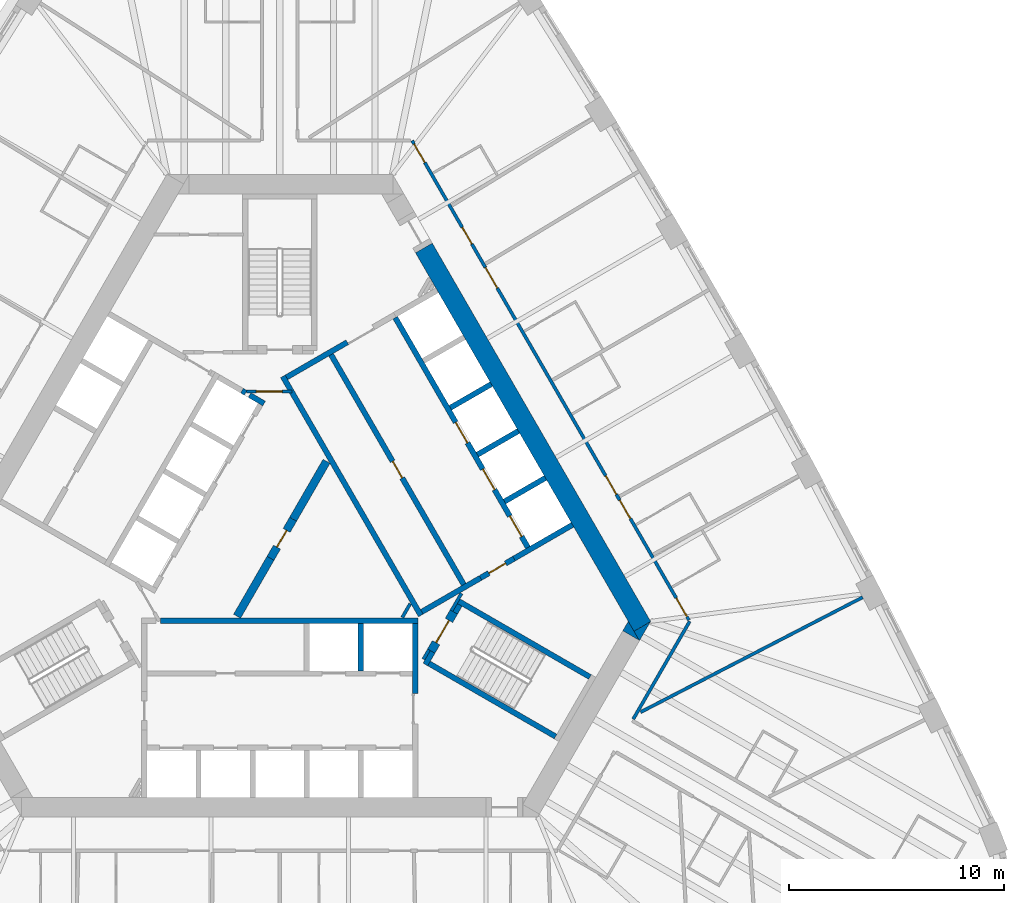
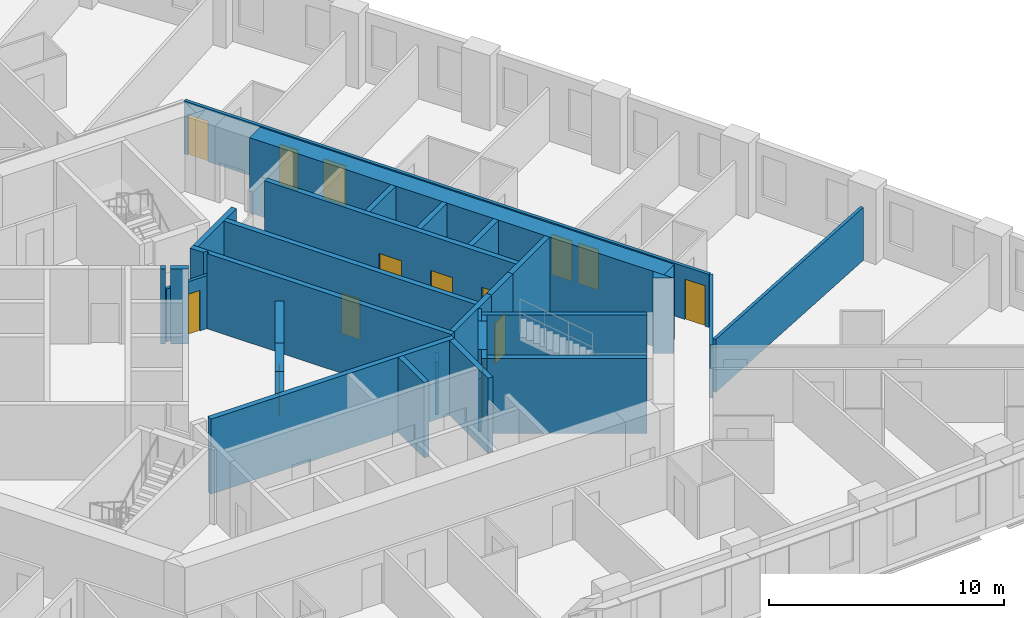
# One storey, part 8 of 13: 33 walls, 14 doors, 14 openings.
"""IFC4 building model written with IfcOpenShell, lengths in metres."""

from ifc_helpers import new_model, si_unit, direction, frame, frame_2d, origin, place, context, subcontext, project, spatial, polyline, rectangle, outline, extrude, material, layer, layer_set, type_object, element, fill, save


model = new_model("IFC4")

# Units and contexts
model_context = context("Model", 3, precision=1e-05, world=origin(), true_north=direction((0.0, 1.0)))
body_context = subcontext(model_context, "Body", "Model", "MODEL_VIEW")
ifc_project = project(units=[si_unit("LENGTHUNIT", "METRE"), si_unit("AREAUNIT", "SQUARE_METRE"), si_unit("VOLUMEUNIT", "CUBIC_METRE"), si_unit("PLANEANGLEUNIT", "RADIAN"), si_unit("MASSUNIT", "GRAM", prefix="KILO")], contexts=[model_context])

# Site, building, storey
site_placement = place(None, origin())
site = spatial("IfcSite", under=ifc_project, at=site_placement, CompositionType="ELEMENT")
building_placement = place(site_placement, origin())
building = spatial("IfcBuilding", under=site, at=building_placement, Name="Mestral Congress Tower", CompositionType="ELEMENT")
storey_placement = place(building_placement, frame((0.0, 0.0, 31.5)))
storey = spatial("IfcBuildingStorey", under=building, at=storey_placement, Name="L06", CompositionType="ELEMENT", Elevation=31.5)

# Walls
ifc_material_1 = material(Name="Fire-rated board partition")
ifc_layer_1 = layer(ifc_material_1, 0.14990234375)
ifc_layer_set_1 = layer_set([ifc_layer_1], Name="Fire-rated board partition")
wall_type_1 = type_object("IfcWallType", Name="Core partition 150", PredefinedType="PARTITIONING", material=ifc_layer_set_1)
wall_1_placement = place(storey_placement, frame((6.94482421875, -5.22216796875, 0.0), z_axis=(0.0, 0.0, 1.0), x_axis=(-0.499818422106, -0.866130212453, 0.0)))
element("IfcWall", 1, at=wall_1_placement, inside=storey, type_object=wall_type_1, Name="L06 core wall", PredefinedType="PARTITIONING", context=body_context, shape_type="SweptSolid", body=[
    extrude(rectangle(XDim=0.513916015625, YDim=0.14990234375, at=frame_2d((0.2568359375, 0.0))), origin(), (0.0, 0.0, 1.0), 2.75),
])
wall_2_placement = place(storey_placement, frame((5.704833984375, -3.718017578125, 0.0), z_axis=(0.0, 0.0, 1.0), x_axis=(0.499962090823, 0.866047289552, 0.0)))
element("IfcWall", 2, at=wall_2_placement, inside=storey, type_object=wall_type_1, Name="L06 core wall", PredefinedType="PARTITIONING", context=body_context, shape_type="SweptSolid", body=[
    extrude(rectangle(XDim=0.73486328125, YDim=0.14990234375, at=frame_2d((0.367431640625, 0.0))), origin(), (0.0, 0.0, 1.0), 2.75),
])
placement = place(storey_placement, origin())
element("IfcWall", 3, at=placement, inside=storey, type_object=wall_type_1, Name="L06 core wall", PredefinedType="PARTITIONING", context=body_context, shape_type="SweptSolid", body=[
    extrude(outline(polyline([(-0.590087890625, -0.871826171875), (-0.26513671875, -1.059326171875), (-1.822021484375, -3.755615234375), (-2.146728515625, -3.568115234375), (-0.590087890625, -0.871826171875)])), origin(), (0.0, 0.0, 1.0), 2.75),
])
element("IfcWall", 4, at=placement, inside=storey, type_object=wall_type_1, Name="L06 core wall", PredefinedType="PARTITIONING", context=body_context, shape_type="SweptSolid", body=[
    extrude(outline(polyline([(2.016845703125, 3.64306640625), (2.341552734375, 3.45556640625), (0.784912109375, 0.759521484375), (0.460205078125, 0.947021484375), (2.016845703125, 3.64306640625)])), origin(), (0.0, 0.0, 1.0), 2.75),
])

# Wall, opening, door
wall_5_placement = place(storey_placement, frame((-1.534423828125, 6.800048828125, 0.0), z_axis=(0.0, 0.0, 1.0), x_axis=(1.0, 0.0, 0.0)))
wall_5 = element("IfcWall", 5, at=wall_5_placement, inside=storey, type_object=wall_type_1, Name="L06 door wall", PredefinedType="PARTITIONING", context=body_context, shape_type="SweptSolid", body=[
    extrude(rectangle(XDim=2.099853515625, YDim=0.14990234375, at=frame_2d((1.0498046875, 0.0))), origin(), (0.0, 0.0, 1.0), 2.75),
])
opening_1_placement = place(wall_5_placement, frame((0.449951171875, 0.0, 0.0)))
opening_1 = element("IfcOpeningElement", 6, at=opening_1_placement, cuts=wall_5, Name="Opening CD2-FF", PredefinedType="OPENING", context=body_context, shape_type="SweptSolid", body=[
    extrude(rectangle(XDim=1.199951171875, YDim=2.10009765625, at=frame_2d((0.60009765625, 1.050048828125))), frame((0.0, 0.0849609375, 0.0), z_axis=(0.0, -1.0, 0.0), x_axis=(1.0, 0.0, 0.0)), (0.0, 0.0, 1.0), 0.169921875),
])
ifc_material_2 = material(Name="Fire-rated steel door set", Category="steel")
door_type_1 = type_object("IfcDoorType", Name="Core door CD 1200x2100", OperationType="SINGLE_SWING_LEFT", PredefinedType="DOOR", material=ifc_material_2)
door_1_placement = place(opening_1_placement, origin())
door_1 = element("IfcDoor", 7, at=door_1_placement, inside=storey, type_object=door_type_1, Name="Door CD2-FF", OperationType="SINGLE_SWING_LEFT", OverallHeight=2.10009765625, OverallWidth=1.199951171875, PredefinedType="DOOR", context=body_context, shape_type="SweptSolid", body=[
    extrude(rectangle(XDim=1.199951171875, YDim=2.10009765625, at=frame_2d((0.60009765625, 1.050048828125))), frame((0.0, 0.02490234375, 0.0), z_axis=(0.0, -1.0, 0.0), x_axis=(1.0, 0.0, 0.0)), (0.0, 0.0, 1.0), 0.050048828125),
])
fill(opening_1, door_1)

ifc_layer_2 = layer(ifc_material_1, 0.375)
ifc_layer_set_2 = layer_set([ifc_layer_2], Name="Fire-rated board partition")
wall_type_2 = type_object("IfcWallType", Name="Core partition 150 door-wall 375", PredefinedType="PARTITIONING", material=ifc_layer_set_2)
wall_6_placement = place(storey_placement, frame((-0.427490234375, -0.965576171875, 0.0), z_axis=(0.0, 0.0, 1.0), x_axis=(0.49994051562, 0.866059744384, 0.0)))
wall_6 = element("IfcWall", 8, at=wall_6_placement, inside=storey, type_object=wall_type_2, Name="L06 door wall", PredefinedType="PARTITIONING", context=body_context, shape_type="SweptSolid", body=[
    extrude(rectangle(XDim=2.099853515625, YDim=0.375, at=frame_2d((1.0498046875, 0.0))), origin(), (0.0, 0.0, 1.0), 2.75),
])
opening_2_placement = place(wall_6_placement, frame((0.60009765625, 0.0, 0.0)))
opening_2 = element("IfcOpeningElement", 9, at=opening_2_placement, cuts=wall_6, Name="Opening CD1-HUB0", PredefinedType="OPENING", context=body_context, shape_type="SweptSolid", body=[
    extrude(rectangle(XDim=0.89990234375, YDim=2.10009765625, at=frame_2d((0.449951171875, 1.050048828125))), frame((0.0, 0.197509765625, 0.0), z_axis=(0.0, -1.0, 0.0), x_axis=(1.0, 0.0, 0.0)), (0.0, 0.0, 1.0), 0.39501953125),
])
door_type_2 = type_object("IfcDoorType", Name="Core door CD 900x2100", OperationType="SINGLE_SWING_LEFT", PredefinedType="DOOR", material=ifc_material_2)
door_2_placement = place(opening_2_placement, origin())
door_2 = element("IfcDoor", 10, at=door_2_placement, inside=storey, type_object=door_type_2, Name="Door CD1-HUB0", OperationType="SINGLE_SWING_LEFT", OverallHeight=2.10009765625, OverallWidth=0.89990234375, PredefinedType="DOOR", context=body_context, shape_type="SweptSolid", body=[
    extrude(rectangle(XDim=0.89990234375, YDim=2.10009765625, at=frame_2d((0.449951171875, 1.050048828125))), frame((0.0, 0.02490234375, 0.0), z_axis=(0.0, -1.0, 0.0), x_axis=(1.0, 0.0, 0.0)), (0.0, 0.0, 1.0), 0.050048828125),
])
fill(opening_2, door_2)

# Walls
ifc_material_3 = material(Name="Concrete C60/75", Category="concrete")
ifc_layer_3 = layer(ifc_material_3, 0.89990234375)
ifc_layer_set_3 = layer_set([ifc_layer_3], Name="Concrete C60/75")
wall_type_3 = type_object("IfcWallType", Name="Core wall RC 900", PredefinedType="SOLIDWALL", material=ifc_layer_set_3)
wall_7_placement = place(storey_placement, frame((6.7109375, 13.476318359375, 0.0), z_axis=(0.0, 0.0, 1.0), x_axis=(0.500002723396, -0.866023831425, 0.0)))
element("IfcWall", 11, at=wall_7_placement, inside=storey, type_object=wall_type_3, Name="L06 core wall", PredefinedType="SOLIDWALL", context=body_context, shape_type="SweptSolid", body=[
    extrude(rectangle(XDim=20.333984375, YDim=0.89990234375, at=frame_2d((10.1669921875, 0.0))), origin(), (0.0, 0.0, 1.0), 3.89990234375),
])
element("IfcWall", 12, at=placement, inside=storey, type_object=wall_type_3, Name="L06 core wall", PredefinedType="SOLIDWALL", context=body_context, shape_type="SweptSolid", body=[
    extrude(outline(polyline([(16.7431640625, -4.800048828125), (16.4892578125, -4.360107421875), (17.251220703125, -3.920166015625), (16.7431640625, -4.800048828125)])), origin(), (0.0, 0.0, 1.0), 3.89990234375),
])
element("IfcWall", 13, at=placement, inside=storey, type_object=wall_type_3, Name="L06 core wall", PredefinedType="SOLIDWALL", context=body_context, shape_type="SweptSolid", body=[
    extrude(outline(polyline([(16.223388671875, -3.900146484375), (16.731689453125, -4.780029296875), (15.969482421875, -4.340087890625), (16.223388671875, -3.900146484375)])), origin(), (0.0, 0.0, 1.0), 3.89990234375),
])
ifc_material_4 = material(Name="Gypsum board partition on metal studs with mineral wool", Category="composite")
ifc_layer_4 = layer(ifc_material_4, 0.14990234375)
ifc_layer_set_4 = layer_set([ifc_layer_4], Name="Gypsum board partition on metal studs with mineral wool")
wall_type_4 = type_object("IfcWallType", Name="Hotel partition wall 150", PredefinedType="PARTITIONING", material=ifc_layer_set_4)
wall_10_placement = place(storey_placement, frame((19.081298828125, -3.89990234375, 0.0), z_axis=(0.0, 0.0, 1.0), x_axis=(-0.499974327079, -0.866040225545, 0.0)))
element("IfcWall", 14, at=wall_10_placement, inside=storey, type_object=wall_type_4, Name="L06-h-cw02", PredefinedType="PARTITIONING", context=body_context, shape_type="SweptSolid", body=[
    extrude(rectangle(XDim=5.258056640625, YDim=0.14990234375, at=frame_2d((2.62890625, 0.0))), origin(), (0.0, 0.0, 1.0), 2.75),
])

# Wall, openings, doors
wall_11_placement = place(storey_placement, frame((6.1630859375, 18.47509765625, 0.0), z_axis=(0.0, 0.0, 1.0), x_axis=(0.500001317485, -0.866024643133, 0.0)))
wall_11 = element("IfcWall", 15, at=wall_11_placement, inside=storey, type_object=wall_type_4, Name="L06-h-cw03", PredefinedType="PARTITIONING", context=body_context, shape_type="SweptSolid", body=[
    extrude(rectangle(XDim=25.7666015625, YDim=0.14990234375, at=frame_2d((12.88330078125, 0.0))), origin(), (0.0, 0.0, 1.0), 2.75),
])
opening_3_placement = place(wall_11_placement, frame((24.58642578125, 0.0, 0.0)))
opening_3 = element("IfcOpeningElement", 16, at=opening_3_placement, cuts=wall_11, Name="Opening H01-024", PredefinedType="OPENING", context=body_context, shape_type="SweptSolid", body=[
    extrude(rectangle(XDim=1.0, YDim=2.10009765625, at=frame_2d((0.5, 1.050048828125))), frame((0.0, 0.0849609375, 0.0), z_axis=(0.0, -1.0, 0.0), x_axis=(1.0, 0.0, 0.0)), (0.0, 0.0, 1.0), 0.169921875),
])
opening_4_placement = place(wall_11_placement, frame((19.3193359375, 0.0, 0.0)))
opening_4 = element("IfcOpeningElement", 17, at=opening_4_placement, cuts=wall_11, Name="Opening H01-026", PredefinedType="OPENING", context=body_context, shape_type="SweptSolid", body=[
    extrude(rectangle(XDim=1.0, YDim=2.10009765625, at=frame_2d((0.5, 1.050048828125))), frame((0.0, 0.0849609375, 0.0), z_axis=(0.0, -1.0, 0.0), x_axis=(1.0, 0.0, 0.0)), (0.0, 0.0, 1.0), 0.169921875),
])
opening_5_placement = place(wall_11_placement, frame((18.012451171875, 0.0, 0.0)))
opening_5 = element("IfcOpeningElement", 18, at=opening_5_placement, cuts=wall_11, Name="Opening H01-028", PredefinedType="OPENING", context=body_context, shape_type="SweptSolid", body=[
    extrude(rectangle(XDim=1.0, YDim=2.10009765625, at=frame_2d((0.5, 1.050048828125))), frame((0.0, 0.0849609375, 0.0), z_axis=(0.0, -1.0, 0.0), x_axis=(1.0, 0.0, 0.0)), (0.0, 0.0, 1.0), 0.169921875),
])
opening_6_placement = place(wall_11_placement, frame((6.82421875, 0.0, 0.0)))
opening_6 = element("IfcOpeningElement", 19, at=opening_6_placement, cuts=wall_11, Name="Opening H01-030", PredefinedType="OPENING", context=body_context, shape_type="SweptSolid", body=[
    extrude(rectangle(XDim=1.10009765625, YDim=2.10009765625, at=frame_2d((0.550048828125, 1.050048828125))), frame((0.0, 0.0849609375, 0.0), z_axis=(0.0, -1.0, 0.0), x_axis=(1.0, 0.0, 0.0)), (0.0, 0.0, 1.0), 0.169921875),
])
opening_7_placement = place(wall_11_placement, frame((4.65771484375, 0.0, 0.0)))
opening_7 = element("IfcOpeningElement", 20, at=opening_7_placement, cuts=wall_11, Name="Opening H01-032", PredefinedType="OPENING", context=body_context, shape_type="SweptSolid", body=[
    extrude(rectangle(XDim=0.89990234375, YDim=2.10009765625, at=frame_2d((0.449951171875, 1.050048828125))), frame((0.0, 0.0849609375, 0.0), z_axis=(0.0, -1.0, 0.0), x_axis=(1.0, 0.0, 0.0)), (0.0, 0.0, 1.0), 0.169921875),
])
opening_8_placement = place(wall_11_placement, frame((0.179931640625, 0.0, 0.0)))
opening_8 = element("IfcOpeningElement", 21, at=opening_8_placement, cuts=wall_11, Name="Opening H01-033", PredefinedType="OPENING", context=body_context, shape_type="SweptSolid", body=[
    extrude(rectangle(XDim=1.0, YDim=2.10009765625, at=frame_2d((0.5, 1.050048828125))), frame((0.0, 0.0849609375, 0.0), z_axis=(0.0, -1.0, 0.0), x_axis=(1.0, 0.0, 0.0)), (0.0, 0.0, 1.0), 0.169921875),
])
ifc_material_5 = material(Name="Timber veneer door leaf in metal frame", Category="wood")
door_type_3 = type_object("IfcDoorType", Name="Accessible room entrance door 1100", OperationType="SINGLE_SWING_LEFT", PredefinedType="DOOR", material=ifc_material_5)
door_3_placement = place(opening_6_placement, origin())
door_3 = element("IfcDoor", 22, at=door_3_placement, inside=storey, type_object=door_type_3, Name="L06-h-d030", OperationType="SINGLE_SWING_LEFT", OverallHeight=2.10009765625, OverallWidth=1.10009765625, PredefinedType="DOOR", context=body_context, shape_type="SweptSolid", body=[
    extrude(rectangle(XDim=1.10009765625, YDim=2.10009765625, at=frame_2d((0.550048828125, 1.050048828125))), frame((0.0, 0.02490234375, 0.0), z_axis=(0.0, -1.0, 0.0), x_axis=(1.0, 0.0, 0.0)), (0.0, 0.0, 1.0), 0.050048828125),
])
fill(opening_6, door_3)
door_type_4 = type_object("IfcDoorType", Name="Guest room entrance door 1000", OperationType="SINGLE_SWING_LEFT", PredefinedType="DOOR", material=ifc_material_5)
door_4_placement = place(opening_3_placement, origin())
door_4 = element("IfcDoor", 23, at=door_4_placement, inside=storey, type_object=door_type_4, Name="L06-h-d024", OperationType="SINGLE_SWING_RIGHT", OverallHeight=2.10009765625, OverallWidth=1.0, PredefinedType="DOOR", context=body_context, shape_type="SweptSolid", body=[
    extrude(rectangle(XDim=1.0, YDim=2.10009765625, at=frame_2d((0.5, 1.050048828125))), frame((0.0, 0.02490234375, 0.0), z_axis=(0.0, -1.0, 0.0), x_axis=(1.0, 0.0, 0.0)), (0.0, 0.0, 1.0), 0.050048828125),
])
fill(opening_3, door_4)
door_5_placement = place(opening_4_placement, origin())
door_5 = element("IfcDoor", 24, at=door_5_placement, inside=storey, type_object=door_type_4, Name="L06-h-d026", OperationType="SINGLE_SWING_LEFT", OverallHeight=2.10009765625, OverallWidth=1.0, PredefinedType="DOOR", context=body_context, shape_type="SweptSolid", body=[
    extrude(rectangle(XDim=1.0, YDim=2.10009765625, at=frame_2d((0.5, 1.050048828125))), frame((0.0, 0.02490234375, 0.0), z_axis=(0.0, -1.0, 0.0), x_axis=(1.0, 0.0, 0.0)), (0.0, 0.0, 1.0), 0.050048828125),
])
fill(opening_4, door_5)
door_6_placement = place(opening_5_placement, origin())
door_6 = element("IfcDoor", 25, at=door_6_placement, inside=storey, type_object=door_type_4, Name="L06-h-d028", OperationType="SINGLE_SWING_RIGHT", OverallHeight=2.10009765625, OverallWidth=1.0, PredefinedType="DOOR", context=body_context, shape_type="SweptSolid", body=[
    extrude(rectangle(XDim=1.0, YDim=2.10009765625, at=frame_2d((0.5, 1.050048828125))), frame((0.0, 0.02490234375, 0.0), z_axis=(0.0, -1.0, 0.0), x_axis=(1.0, 0.0, 0.0)), (0.0, 0.0, 1.0), 0.050048828125),
])
fill(opening_5, door_6)
door_7_placement = place(opening_8_placement, origin())
door_7 = element("IfcDoor", 26, at=door_7_placement, inside=storey, type_object=door_type_4, Name="L06-h-d033", OperationType="SINGLE_SWING_LEFT", OverallHeight=2.10009765625, OverallWidth=1.0, PredefinedType="DOOR", context=body_context, shape_type="SweptSolid", body=[
    extrude(rectangle(XDim=1.0, YDim=2.10009765625, at=frame_2d((0.5, 1.050048828125))), frame((0.0, 0.02490234375, 0.0), z_axis=(0.0, -1.0, 0.0), x_axis=(1.0, 0.0, 0.0)), (0.0, 0.0, 1.0), 0.050048828125),
])
fill(opening_8, door_7)
door_type_5 = type_object("IfcDoorType", Name="Service room door 900", OperationType="SINGLE_SWING_LEFT", PredefinedType="DOOR", material=ifc_material_5)
door_8_placement = place(opening_7_placement, origin())
door_8 = element("IfcDoor", 27, at=door_8_placement, inside=storey, type_object=door_type_5, Name="L06-h-d032", OperationType="SINGLE_SWING_LEFT", OverallHeight=2.10009765625, OverallWidth=0.89990234375, PredefinedType="DOOR", context=body_context, shape_type="SweptSolid", body=[
    extrude(rectangle(XDim=0.89990234375, YDim=2.10009765625, at=frame_2d((0.449951171875, 1.050048828125))), frame((0.0, 0.02490234375, 0.0), z_axis=(0.0, -1.0, 0.0), x_axis=(1.0, 0.0, 0.0)), (0.0, 0.0, 1.0), 0.050048828125),
])
fill(opening_7, door_8)

# Walls
wall_12_placement = place(storey_placement, frame((27.133544921875, -2.779052734375, 0.0), z_axis=(0.0, 0.0, 1.0), x_axis=(-0.8882049501, -0.459447457951, 0.0)))
element("IfcWall", 28, at=wall_12_placement, inside=storey, type_object=wall_type_4, Name="L06-h-pw25", PredefinedType="PARTITIONING", context=body_context, shape_type="SweptSolid", body=[
    extrude(rectangle(XDim=11.63818359375, YDim=0.14990234375, at=frame_2d((5.819091796875, 0.0))), origin(), (0.0, 0.0, 1.0), 2.75),
])
ifc_layer_5 = layer(ifc_material_3, 0.25)
ifc_layer_set_5 = layer_set([ifc_layer_5], Name="Concrete C60/75")
wall_type_5 = type_object("IfcWallType", Name="Shaft wall RC 250", PredefinedType="SOLIDWALL", material=ifc_layer_set_5)
wall_13_placement = place(storey_placement, frame((-5.544921875, -3.875, 0.0), z_axis=(0.0, 0.0, 1.0), x_axis=(1.0, 0.0, 0.0)))
element("IfcWall", 29, at=wall_13_placement, inside=storey, type_object=wall_type_5, Name="L06 core wall", PredefinedType="SOLIDWALL", context=body_context, shape_type="SweptSolid", body=[
    extrude(rectangle(XDim=11.969970703125, YDim=0.25, at=frame_2d((5.98486328125, 0.0))), origin(), (0.0, 0.0, 1.0), 3.89990234375),
])
wall_14_placement = place(storey_placement, frame((6.300048828125, -7.26806640625, 0.0), z_axis=(0.0, 0.0, 1.0), x_axis=(0.0, 1.0, 0.0)))
element("IfcWall", 30, at=wall_14_placement, inside=storey, type_object=wall_type_5, Name="L06 core wall", PredefinedType="SOLIDWALL", context=body_context, shape_type="SweptSolid", body=[
    extrude(rectangle(XDim=3.26806640625, YDim=0.25, at=frame_2d((1.634033203125, 0.0))), origin(), (0.0, 0.0, 1.0), 3.89990234375),
])
for number, where, z_axis, x_axis, name in (
    (31, (3.780029296875, -4.0, 0.0), (0.0, 0.0, 1.0), (0.0, -1.0, 0.0), "L06 core wall"),
    (32, (10.463623046875, 1.676513671875, 0.0), (0.0, 0.0, 1.0), (0.86605622881, 0.499946605688, 0.0), "L06 core wall"),
):
    element("IfcWall", number, at=place(storey_placement, frame(where, z_axis=z_axis, x_axis=x_axis)), inside=storey, type_object=wall_type_5, Name=name, PredefinedType="SOLIDWALL", context=body_context, shape_type="SweptSolid", body=[
        extrude(rectangle(XDim=2.199951171875, YDim=0.25, at=frame_2d((1.10009765625, 0.0))), origin(), (0.0, 0.0, 1.0), 3.89990234375),
    ])
wall_15_placement = place(storey_placement, frame((13.62890625, 0.593994140625, 0.0), z_axis=(0.0, 0.0, 1.0), x_axis=(-0.86602790099, -0.499995674689, 0.0)))
element("IfcWall", 33, at=wall_15_placement, inside=storey, type_object=wall_type_5, Name="L06 core wall", PredefinedType="SOLIDWALL", context=body_context, shape_type="SweptSolid", body=[
    extrude(rectangle(XDim=3.1455078125, YDim=0.25, at=frame_2d((1.57275390625, 0.0))), origin(), (0.0, 0.0, 1.0), 3.89990234375),
])
element("IfcWall", 34, at=placement, inside=storey, type_object=wall_type_5, Name="L06 core wall", PredefinedType="SOLIDWALL", context=body_context, shape_type="SweptSolid", body=[
    extrude(outline(polyline([(0.565673828125, 6.72509765625), (0.565673828125, 6.875), (0.565673828125, 6.875), (0.5654296875, 6.875), (0.36083984375, 6.875), (0.03515625, 7.439208984375), (0.251708984375, 7.564208984375), (0.376708984375, 7.34765625), (6.551513671875, -3.34765625), (6.676513671875, -3.564208984375), (6.460205078125, -3.689208984375), (0.447509765625, 6.724853515625), (0.5654296875, 6.724853515625), (0.565673828125, 6.724853515625), (0.565673828125, 6.72509765625)])), origin(), (0.0, 0.0, 1.0), 3.89990234375),
])
wall_17_placement = place(storey_placement, frame((0.314208984375, 7.455810546875, 0.0), z_axis=(0.0, 0.0, 1.0), x_axis=(0.866013897511, 0.50001992892, 0.0)))
element("IfcWall", 35, at=wall_17_placement, inside=storey, type_object=wall_type_5, Name="L06 core wall", PredefinedType="SOLIDWALL", context=body_context, shape_type="SweptSolid", body=[
    extrude(rectangle(XDim=3.267822265625, YDim=0.25, at=frame_2d((1.6337890625, 0.0))), origin(), (0.0, 0.0, 1.0), 3.89990234375),
])
wall_18_placement = place(storey_placement, frame((6.614013671875, -3.4560546875, 0.0), z_axis=(0.0, 0.0, 1.0), x_axis=(0.86602447079, 0.500001615989, 0.0)))
element("IfcWall", 36, at=wall_18_placement, inside=storey, type_object=wall_type_5, Name="L06 core wall", PredefinedType="SOLIDWALL", context=body_context, shape_type="SweptSolid", body=[
    extrude(rectangle(XDim=3.154296875, YDim=0.25, at=frame_2d((1.5771484375, 0.0))), origin(), (0.0, 0.0, 1.0), 3.89990234375),
])
for number, where, z_axis, x_axis, name in (
    (37, (7.943603515625, 6.041259765625, 0.0), (0.0, 0.0, 1.0), (0.86605622881, 0.499946605688, 0.0), "L06 core wall"),
    (38, (9.20361328125, 3.85888671875, 0.0), (0.0, 0.0, 1.0), (0.86605622881, 0.499946605688, 0.0), "L06 core wall"),
):
    element("IfcWall", number, at=place(storey_placement, frame(where, z_axis=z_axis, x_axis=x_axis)), inside=storey, type_object=wall_type_5, Name=name, PredefinedType="SOLIDWALL", context=body_context, shape_type="SweptSolid", body=[
        extrude(rectangle(XDim=2.199951171875, YDim=0.25, at=frame_2d((1.10009765625, 0.0))), origin(), (0.0, 0.0, 1.0), 3.89990234375),
    ])
wall_19_placement = place(storey_placement, frame((-1.75830078125, 6.834716796875, 0.0), z_axis=(0.0, 0.0, 1.0), x_axis=(0.865982457891, -0.500074377092, 0.0)))
element("IfcWall", 39, at=wall_19_placement, inside=storey, type_object=wall_type_5, Name="L06 core wall", PredefinedType="SOLIDWALL", context=body_context, shape_type="SweptSolid", body=[
    extrude(rectangle(XDim=0.2001953125, YDim=0.25, at=frame_2d((0.10009765625, 0.0))), origin(), (0.0, 0.0, 1.0), 3.89990234375),
])
wall_20_placement = place(storey_placement, frame((-0.7275390625, 6.23974609375, 0.0), z_axis=(0.0, 0.0, 1.0), x_axis=(-0.865955664968, 0.500120771724, 0.0)))
element("IfcWall", 40, at=wall_20_placement, inside=storey, type_object=wall_type_5, Name="L06 core wall", PredefinedType="SOLIDWALL", context=body_context, shape_type="SweptSolid", body=[
    extrude(rectangle(XDim=0.778076171875, YDim=0.25, at=frame_2d((0.38916015625, 0.0))), origin(), (0.0, 0.0, 1.0), 3.89990234375),
])

# Wall, openings, doors
wall_21_placement = place(storey_placement, frame((11.552978515625, -0.460205078125, 0.0), z_axis=(0.0, 0.0, 1.0), x_axis=(-0.500006514828, 0.866021642414, 0.0)))
wall_21 = element("IfcWall", 41, at=wall_21_placement, inside=storey, type_object=wall_type_5, Name="L06 door wall", PredefinedType="SOLIDWALL", context=body_context, shape_type="SweptSolid", body=[
    extrude(rectangle(XDim=12.349853515625, YDim=0.25, at=frame_2d((6.1748046875, 0.0))), origin(), (0.0, 0.0, 1.0), 3.89990234375),
])
opening_9_placement = place(wall_21_placement, frame((0.5849609375, 0.0, 0.0)))
opening_9 = element("IfcOpeningElement", 42, at=opening_9_placement, cuts=wall_21, Name="Opening LD-NEA1", PredefinedType="OPENING", context=body_context, shape_type="SweptSolid", body=[
    extrude(rectangle(XDim=1.10009765625, YDim=2.10009765625, at=frame_2d((0.550048828125, 1.050048828125))), frame((0.0, 0.135009765625, 0.0), z_axis=(0.0, -1.0, 0.0), x_axis=(1.0, 0.0, 0.0)), (0.0, 0.0, 1.0), 0.27001953125),
])
opening_10_placement = place(wall_21_placement, frame((3.10498046875, 0.0, 0.0)))
opening_10 = element("IfcOpeningElement", 43, at=opening_10_placement, cuts=wall_21, Name="Opening LD-NEA2", PredefinedType="OPENING", context=body_context, shape_type="SweptSolid", body=[
    extrude(rectangle(XDim=1.10009765625, YDim=2.10009765625, at=frame_2d((0.550048828125, 1.050048828125))), frame((0.0, 0.135009765625, 0.0), z_axis=(0.0, -1.0, 0.0), x_axis=(1.0, 0.0, 0.0)), (0.0, 0.0, 1.0), 0.27001953125),
])
opening_11_placement = place(wall_21_placement, frame((5.625, 0.0, 0.0)))
opening_11 = element("IfcOpeningElement", 44, at=opening_11_placement, cuts=wall_21, Name="Opening LD-NEA3", PredefinedType="OPENING", context=body_context, shape_type="SweptSolid", body=[
    extrude(rectangle(XDim=1.10009765625, YDim=2.10009765625, at=frame_2d((0.550048828125, 1.050048828125))), frame((0.0, 0.135009765625, 0.0), z_axis=(0.0, -1.0, 0.0), x_axis=(1.0, 0.0, 0.0)), (0.0, 0.0, 1.0), 0.27001953125),
])
door_type_6 = type_object("IfcDoorType", Name="Core door LD 1100x2100", OperationType="DOUBLE_DOOR_SLIDING", PredefinedType="DOOR", material=ifc_material_2)
door_9_placement = place(opening_9_placement, origin())
door_9 = element("IfcDoor", 45, at=door_9_placement, inside=storey, type_object=door_type_6, Name="Door LD-NEA1", OperationType="DOUBLE_DOOR_SLIDING", OverallHeight=2.10009765625, OverallWidth=1.10009765625, PredefinedType="DOOR", context=body_context, shape_type="SweptSolid", body=[
    extrude(rectangle(XDim=1.10009765625, YDim=2.10009765625, at=frame_2d((0.550048828125, 1.050048828125))), frame((0.0, 0.02490234375, 0.0), z_axis=(0.0, -1.0, 0.0), x_axis=(1.0, 0.0, 0.0)), (0.0, 0.0, 1.0), 0.050048828125),
])
fill(opening_9, door_9)
door_10_placement = place(opening_10_placement, origin())
door_10 = element("IfcDoor", 46, at=door_10_placement, inside=storey, type_object=door_type_6, Name="Door LD-NEA2", OperationType="DOUBLE_DOOR_SLIDING", OverallHeight=2.10009765625, OverallWidth=1.10009765625, PredefinedType="DOOR", context=body_context, shape_type="SweptSolid", body=[
    extrude(rectangle(XDim=1.10009765625, YDim=2.10009765625, at=frame_2d((0.550048828125, 1.050048828125))), frame((0.0, 0.02490234375, 0.0), z_axis=(0.0, -1.0, 0.0), x_axis=(1.0, 0.0, 0.0)), (0.0, 0.0, 1.0), 0.050048828125),
])
fill(opening_10, door_10)
door_11_placement = place(opening_11_placement, origin())
door_11 = element("IfcDoor", 47, at=door_11_placement, inside=storey, type_object=door_type_6, Name="Door LD-NEA3", OperationType="DOUBLE_DOOR_SLIDING", OverallHeight=2.10009765625, OverallWidth=1.10009765625, PredefinedType="DOOR", context=body_context, shape_type="SweptSolid", body=[
    extrude(rectangle(XDim=1.10009765625, YDim=2.10009765625, at=frame_2d((0.550048828125, 1.050048828125))), frame((0.0, 0.02490234375, 0.0), z_axis=(0.0, -1.0, 0.0), x_axis=(1.0, 0.0, 0.0)), (0.0, 0.0, 1.0), 0.050048828125),
])
fill(opening_11, door_11)

# Wall, opening, door
wall_22_placement = place(storey_placement, frame((8.565185546875, -2.185302734375, 0.0), z_axis=(0.0, 0.0, 1.0), x_axis=(-0.499997954832, 0.866026584559, 0.0)))
wall_22 = element("IfcWall", 48, at=wall_22_placement, inside=storey, type_object=wall_type_5, Name="L06 door wall", PredefinedType="SOLIDWALL", context=body_context, shape_type="SweptSolid", body=[
    extrude(rectangle(XDim=12.35009765625, YDim=0.25, at=frame_2d((6.175048828125, 0.0))), origin(), (0.0, 0.0, 1.0), 3.89990234375),
])
opening_12_placement = place(wall_22_placement, frame((5.72509765625, 0.0, 0.0)))
opening_12 = element("IfcOpeningElement", 49, at=opening_12_placement, cuts=wall_22, Name="Opening SR-NEB1", PredefinedType="OPENING", context=body_context, shape_type="SweptSolid", body=[
    extrude(rectangle(XDim=0.89990234375, YDim=2.10009765625, at=frame_2d((0.449951171875, 1.050048828125))), frame((0.0, 0.135009765625, 0.0), z_axis=(0.0, -1.0, 0.0), x_axis=(1.0, 0.0, 0.0)), (0.0, 0.0, 1.0), 0.27001953125),
])
door_type_7 = type_object("IfcDoorType", Name="Core door SR 900x2100", OperationType="SINGLE_SWING_LEFT", PredefinedType="DOOR", material=ifc_material_2)
door_12_placement = place(opening_12_placement, origin())
door_12 = element("IfcDoor", 50, at=door_12_placement, inside=storey, type_object=door_type_7, Name="Door SR-NEB1", OperationType="SINGLE_SWING_LEFT", OverallHeight=2.10009765625, OverallWidth=0.89990234375, PredefinedType="DOOR", context=body_context, shape_type="SweptSolid", body=[
    extrude(rectangle(XDim=0.89990234375, YDim=2.10009765625, at=frame_2d((0.449951171875, 1.050048828125))), frame((0.0, 0.02490234375, 0.0), z_axis=(0.0, -1.0, 0.0), x_axis=(1.0, 0.0, 0.0)), (0.0, 0.0, 1.0), 0.050048828125),
])
fill(opening_12, door_12)

wall_23_placement = place(storey_placement, frame((9.345947265625, -1.878662109375, 0.0), z_axis=(0.0, 0.0, 1.0), x_axis=(0.866047807691, 0.499961193289, 0.0)))
wall_23 = element("IfcWall", 51, at=wall_23_placement, inside=storey, type_object=wall_type_5, Name="L06 door wall", PredefinedType="SOLIDWALL", context=body_context, shape_type="SweptSolid", body=[
    extrude(rectangle(XDim=1.800048828125, YDim=0.25, at=frame_2d((0.89990234375, 0.0))), origin(), (0.0, 0.0, 1.0), 3.89990234375),
])
opening_13_placement = place(wall_23_placement, frame((0.449951171875, 0.0, 0.0)))
opening_13 = element("IfcOpeningElement", 52, at=opening_13_placement, cuts=wall_23, Name="Opening TD1", PredefinedType="OPENING", context=body_context, shape_type="SweptSolid", body=[
    extrude(rectangle(XDim=0.89990234375, YDim=2.10009765625, at=frame_2d((0.449951171875, 1.050048828125))), frame((0.0, 0.135009765625, 0.0), z_axis=(0.0, -1.0, 0.0), x_axis=(1.0, 0.0, 0.0)), (0.0, 0.0, 1.0), 0.27001953125),
])
door_13_placement = place(opening_13_placement, origin())
door_13 = element("IfcDoor", 53, at=door_13_placement, inside=storey, type_object=door_type_7, Name="Door TD1", OperationType="SINGLE_SWING_LEFT", OverallHeight=2.10009765625, OverallWidth=0.89990234375, PredefinedType="DOOR", context=body_context, shape_type="SweptSolid", body=[
    extrude(rectangle(XDim=0.89990234375, YDim=2.10009765625, at=frame_2d((0.449951171875, 1.050048828125))), frame((0.0, 0.02490234375, 0.0), z_axis=(0.0, -1.0, 0.0), x_axis=(1.0, 0.0, 0.0)), (0.0, 0.0, 1.0), 0.050048828125),
])
fill(opening_13, door_13)

# Walls
ifc_layer_6 = layer(ifc_material_3, 0.14990234375)
ifc_layer_set_6 = layer_set([ifc_layer_6], Name="Concrete C60/75")
wall_type_6 = type_object("IfcWallType", Name="Shaft wall RC 250 door-wall 150", PredefinedType="SOLIDWALL", material=ifc_layer_set_6)
wall_24_placement = place(storey_placement, frame((8.459228515625, -2.59912109375, 0.0), z_axis=(0.0, 0.0, 1.0), x_axis=(-0.500041054325, -0.866001699761, 0.0)))
element("IfcWall", 54, at=wall_24_placement, inside=storey, type_object=wall_type_6, Name="L06 core wall", PredefinedType="PARTITIONING", context=body_context, shape_type="SweptSolid", body=[
    extrude(rectangle(XDim=0.9287109375, YDim=0.14990234375, at=frame_2d((0.46435546875, 0.0))), origin(), (0.0, 0.0, 1.0), 3.89990234375),
])
ifc_layer_7 = layer(ifc_material_3, 0.25)
ifc_layer_set_7 = layer_set([ifc_layer_7], Name="Concrete C60/75")
wall_type_7 = type_object("IfcWallType", Name="Stair wall RC 250", PredefinedType="SOLIDWALL", material=ifc_layer_set_7)
wall_25_placement = place(storey_placement, frame((12.83984375, -9.2607421875, 0.0), z_axis=(0.0, 0.0, 1.0), x_axis=(-0.866013990052, 0.500019768644, 0.0)))
element("IfcWall", 55, at=wall_25_placement, inside=storey, type_object=wall_type_7, Name="L06 core wall", PredefinedType="SOLIDWALL", context=body_context, shape_type="SweptSolid", body=[
    extrude(rectangle(XDim=6.800048828125, YDim=0.25, at=frame_2d((3.39990234375, 0.0))), origin(), (0.0, 0.0, 1.0), 3.89990234375),
])
wall_26_placement = place(storey_placement, frame((6.780029296875, -5.906494140625, 0.0), z_axis=(0.0, 0.0, 1.0), x_axis=(0.500223362819, 0.865896406789, 0.0)))
element("IfcWall", 56, at=wall_26_placement, inside=storey, type_object=wall_type_7, Name="L06 core wall", PredefinedType="SOLIDWALL", context=body_context, shape_type="SweptSolid", body=[
    extrude(rectangle(XDim=0.675048828125, YDim=0.25, at=frame_2d((0.33740234375, 0.0))), origin(), (0.0, 0.0, 1.0), 3.89990234375),
])
wall_27_placement = place(storey_placement, frame((8.33447265625, -2.96435546875, 0.0), z_axis=(0.0, 0.0, 1.0), x_axis=(0.866016039709, -0.500016218704, 0.0)))
element("IfcWall", 57, at=wall_27_placement, inside=storey, type_object=wall_type_7, Name="L06 core wall", PredefinedType="SOLIDWALL", context=body_context, shape_type="SweptSolid", body=[
    extrude(rectangle(XDim=7.050048828125, YDim=0.25, at=frame_2d((3.52490234375, 0.0))), origin(), (0.0, 0.0, 1.0), 3.89990234375),
])
wall_28_placement = place(storey_placement, frame((8.167724609375, -3.503173828125, 0.0), z_axis=(0.0, 0.0, 1.0), x_axis=(0.49972245349, 0.866185586049, 0.0)))
element("IfcWall", 58, at=wall_28_placement, inside=storey, type_object=wall_type_7, Name="L06 core wall", PredefinedType="SOLIDWALL", context=body_context, shape_type="SweptSolid", body=[
    extrude(rectangle(XDim=0.425048828125, YDim=0.25, at=frame_2d((0.21240234375, 0.0))), origin(), (0.0, 0.0, 1.0), 3.89990234375),
])

# Wall, opening, door
ifc_layer_8 = layer(ifc_material_3, 0.39990234375)
ifc_layer_set_8 = layer_set([ifc_layer_8], Name="Concrete C60/75")
wall_type_8 = type_object("IfcWallType", Name="Stair wall RC 250 door-wall 400", PredefinedType="SOLIDWALL", material=ifc_layer_set_8)
wall_29_placement = place(storey_placement, frame((7.052734375, -5.2841796875, 0.0), z_axis=(0.0, 0.0, 1.0), x_axis=(0.500078061341, 0.865980330357, 0.0)))
wall_29 = element("IfcWall", 59, at=wall_29_placement, inside=storey, type_object=wall_type_8, Name="L06 door wall", PredefinedType="SOLIDWALL", context=body_context, shape_type="SweptSolid", body=[
    extrude(rectangle(XDim=2.099853515625, YDim=0.39990234375, at=frame_2d((1.0498046875, 0.0))), origin(), (0.0, 0.0, 1.0), 3.89990234375),
])
opening_14_placement = place(wall_29_placement, frame((0.449951171875, 0.0, 0.0)))
opening_14 = element("IfcOpeningElement", 60, at=opening_14_placement, cuts=wall_29, Name="Opening ST-D1", PredefinedType="OPENING", context=body_context, shape_type="SweptSolid", body=[
    extrude(rectangle(XDim=1.199951171875, YDim=2.10009765625, at=frame_2d((0.60009765625, 1.050048828125))), frame((0.0, 0.2099609375, 0.0), z_axis=(0.0, -1.0, 0.0), x_axis=(1.0, 0.0, 0.0)), (0.0, 0.0, 1.0), 0.419921875),
])
door_type_8 = type_object("IfcDoorType", Name="Core door ST 1200x2100", OperationType="SINGLE_SWING_LEFT", PredefinedType="DOOR", material=ifc_material_2)
door_14_placement = place(opening_14_placement, origin())
door_14 = element("IfcDoor", 61, at=door_14_placement, inside=storey, type_object=door_type_8, Name="Door ST-D1", OperationType="SINGLE_SWING_LEFT", OverallHeight=2.10009765625, OverallWidth=1.199951171875, PredefinedType="DOOR", context=body_context, shape_type="SweptSolid", body=[
    extrude(rectangle(XDim=1.199951171875, YDim=2.10009765625, at=frame_2d((0.60009765625, 1.050048828125))), frame((0.0, 0.02490234375, 0.0), z_axis=(0.0, -1.0, 0.0), x_axis=(1.0, 0.0, 0.0)), (0.0, 0.0, 1.0), 0.050048828125),
])
fill(opening_14, door_14)

save(model, "model.ifc")
